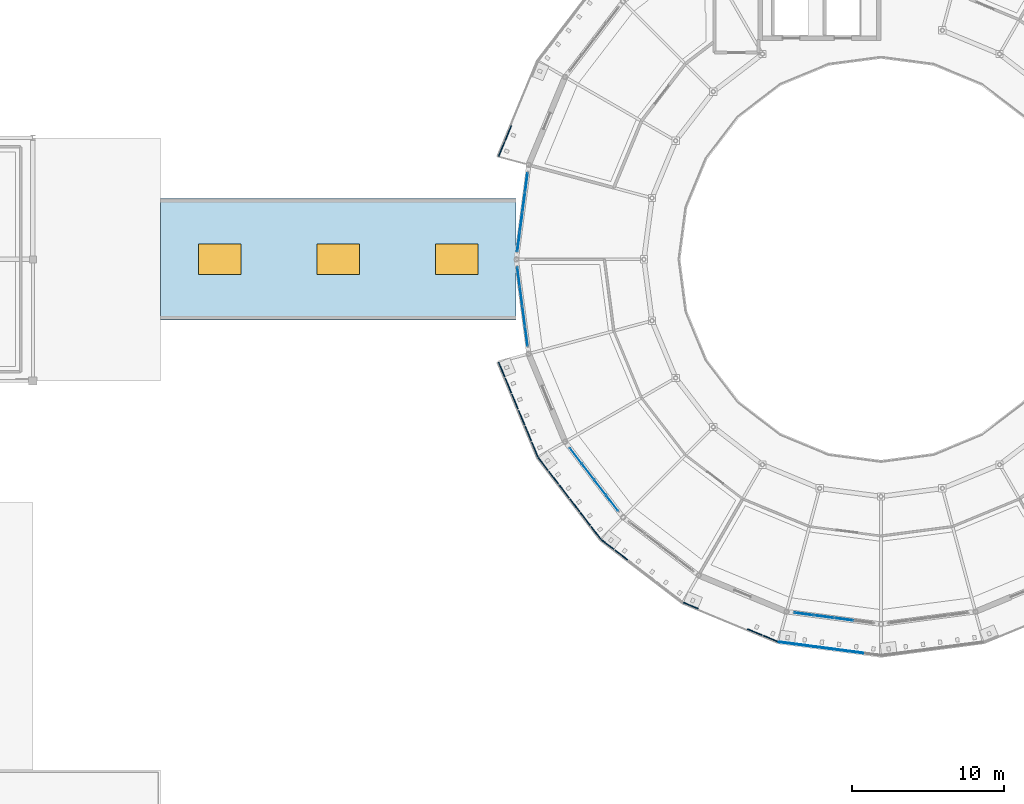
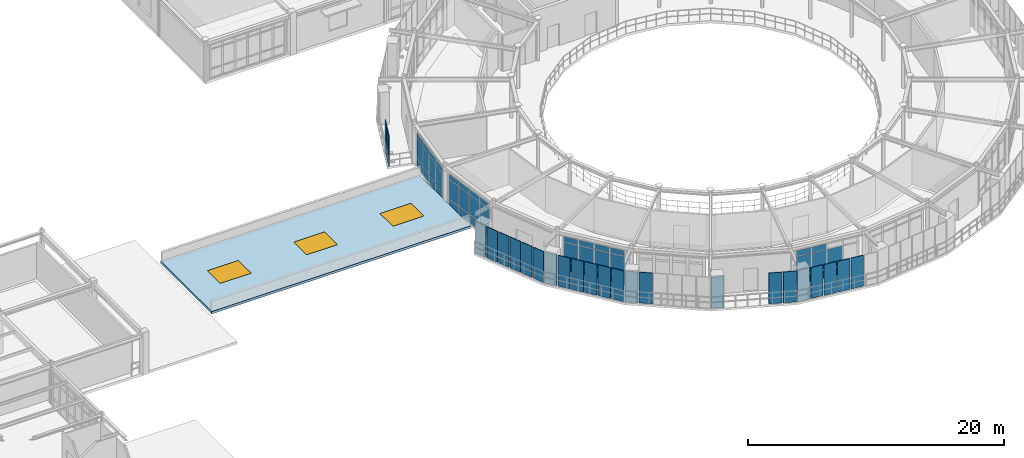
# One storey, part 42 of 70: 68 plates, 3 windows, 1 slab, 3 openings, 4 elements without a shape of their own.
"""IFC4 building model written with IfcOpenShell, lengths in metres."""

from ifc_helpers import new_model, si_unit, derived_unit, direction, frame, origin, origin_2d, place, context, subcontext, project, spatial, polyline, rectangle, outline, extrude, material, layer, layer_set, type_object, element, fill, aggregate, save


model = new_model("IFC4")

# Units and contexts
model_context = context("Model", 3, precision=1e-05, world=origin(), true_north=direction((0.0, 1.0)))
body_context = subcontext(model_context, "Body", "Model", "MODEL_VIEW")
ifc_project = project(units=[si_unit("LENGTHUNIT", "METRE"), si_unit("AREAUNIT", "SQUARE_METRE"), si_unit("VOLUMEUNIT", "CUBIC_METRE"), si_unit("PLANEANGLEUNIT", "RADIAN"), si_unit("MASSUNIT", "GRAM", prefix="KILO"), derived_unit("THERMALTRANSMITTANCEUNIT", [(si_unit("POWERUNIT", "WATT"), 1), (si_unit("AREAUNIT", "SQUARE_METRE"), -1), (si_unit("THERMODYNAMICTEMPERATUREUNIT", "KELVIN"), -1)])], contexts=[model_context])

# Site, building, storey
site_placement = place(None, origin())
site = spatial("IfcSite", under=ifc_project, at=site_placement, CompositionType="ELEMENT")
building_placement = place(site_placement, origin())
building = spatial("IfcBuilding", under=site, at=building_placement, Name="Yasenodar Specialist Clinic", CompositionType="ELEMENT")
storey_placement = place(building_placement, frame((0.0, 0.0, 13.199951171875)))
storey = spatial("IfcBuildingStorey", under=building, at=storey_placement, Name="L03", CompositionType="ELEMENT", Elevation=13.199951171875)

# Curtain wall, plates
ifc_material_1 = material(Name="Bronze Anodized Aluminium and Triple Low-E Glass", Category="aluminium")
ifc_layer_1 = layer(ifc_material_1, 0.1669921875)
ifc_layer_set_1 = layer_set([ifc_layer_1], Name="Bronze Anodized Aluminium and Triple Low-E Glass")
curtain_wall_type = type_object("IfcCurtainWallType", Name="CW-SYS-01", PredefinedType="USERDEFINED", material=ifc_layer_set_1)
curtain_wall_1_placement = place(storey_placement, origin())
curtain_wall_1 = element("IfcCurtainWall", 1, at=curtain_wall_1_placement, inside=storey, type_object=curtain_wall_type, Name="L03 Unitised Curtain Wall 048", ObjectType="UNITISED CURTAIN WALL", PredefinedType="USERDEFINED")
ifc_material_2 = material(Name="Triple Low-E Argon Glazing", Category="glass")
ifc_layer_2 = layer(ifc_material_2, 0.028076171875)
ifc_layer_set_2 = layer_set([ifc_layer_2], Name="Triple Low-E Argon Glazing")
plate_type_1 = type_object("IfcPlateType", Name="CW-PAN-1", PredefinedType="CURTAIN_PANEL", material=ifc_layer_set_2)
plate_1_placement = place(storey_placement, frame((57.66650390625, 53.736572265625, 0.06005859375), z_axis=(0.0, 0.0, 1.0), x_axis=(-0.13051156024, 0.991446787601, 0.0)))
plate_1 = element("IfcPlate", 2, at=plate_1_placement, type_object=plate_type_1, Name="CW-01 panel 1.1", PredefinedType="CURTAIN_PANEL", context=body_context, shape_type="SweptSolid", body=[
    extrude(rectangle(XDim=1.236328125, YDim=0.028076171875, at=origin_2d()), origin(), (0.0, 0.0, 1.0), 0.81005859375),
])
plate_2_placement = place(storey_placement, frame((57.66650390625, 53.736572265625, 0.93017578125), z_axis=(0.0, 0.0, 1.0), x_axis=(-0.13051156024, 0.991446787601, 0.0)))
plate_2 = element("IfcPlate", 3, at=plate_2_placement, type_object=plate_type_1, Name="CW-01 panel 1.2", PredefinedType="CURTAIN_PANEL", context=body_context, shape_type="SweptSolid", body=[
    extrude(rectangle(XDim=1.236328125, YDim=0.028076171875, at=origin_2d()), origin(), (0.0, 0.0, 1.0), 1.827880859375),
])
plate_3_placement = place(storey_placement, frame((57.66650390625, 53.736572265625, 2.81787109375), z_axis=(0.0, 0.0, 1.0), x_axis=(-0.13051156024, 0.991446787601, 0.0)))
plate_3 = element("IfcPlate", 4, at=plate_3_placement, type_object=plate_type_1, Name="CW-01 panel 1.3", PredefinedType="CURTAIN_PANEL", context=body_context, shape_type="SweptSolid", body=[
    extrude(rectangle(XDim=1.236328125, YDim=0.028076171875, at=origin_2d()), origin(), (0.0, 0.0, 1.0), 0.510009765625),
])
plate_4_placement = place(storey_placement, frame((57.495361328125, 55.03662109375, 0.06005859375), z_axis=(0.0, 0.0, 1.0), x_axis=(-0.13051156024, 0.991446787601, 0.0)))
plate_4 = element("IfcPlate", 5, at=plate_4_placement, type_object=plate_type_1, Name="CW-01 panel 2.1", PredefinedType="CURTAIN_PANEL", context=body_context, shape_type="SweptSolid", body=[
    extrude(rectangle(XDim=1.266357421875, YDim=0.028076171875, at=origin_2d()), origin(), (0.0, 0.0, 1.0), 0.81005859375),
])
plate_5_placement = place(storey_placement, frame((57.495361328125, 55.03662109375, 0.93017578125), z_axis=(0.0, 0.0, 1.0), x_axis=(-0.13051156024, 0.991446787601, 0.0)))
plate_5 = element("IfcPlate", 6, at=plate_5_placement, type_object=plate_type_1, Name="CW-01 panel 2.2", PredefinedType="CURTAIN_PANEL", context=body_context, shape_type="SweptSolid", body=[
    extrude(rectangle(XDim=1.266357421875, YDim=0.028076171875, at=origin_2d()), origin(), (0.0, 0.0, 1.0), 1.827880859375),
])
plate_6_placement = place(storey_placement, frame((57.495361328125, 55.03662109375, 2.81787109375), z_axis=(0.0, 0.0, 1.0), x_axis=(-0.13051156024, 0.991446787601, 0.0)))
plate_6 = element("IfcPlate", 7, at=plate_6_placement, type_object=plate_type_1, Name="CW-01 panel 2.3", PredefinedType="CURTAIN_PANEL", context=body_context, shape_type="SweptSolid", body=[
    extrude(rectangle(XDim=1.266357421875, YDim=0.028076171875, at=origin_2d()), origin(), (0.0, 0.0, 1.0), 0.510009765625),
])
plate_7_placement = place(storey_placement, frame((57.322265625, 56.3515625, 0.06005859375), z_axis=(0.0, 0.0, 1.0), x_axis=(-0.13051156024, 0.991446787601, 0.0)))
plate_7 = element("IfcPlate", 8, at=plate_7_placement, type_object=plate_type_1, Name="CW-01 panel 3.1", PredefinedType="CURTAIN_PANEL", context=body_context, shape_type="SweptSolid", body=[
    extrude(rectangle(XDim=1.266357421875, YDim=0.028076171875, at=origin_2d()), origin(), (0.0, 0.0, 1.0), 0.81005859375),
])
plate_8_placement = place(storey_placement, frame((57.322265625, 56.3515625, 0.93017578125), z_axis=(0.0, 0.0, 1.0), x_axis=(-0.13051156024, 0.991446787601, 0.0)))
plate_8 = element("IfcPlate", 9, at=plate_8_placement, type_object=plate_type_1, Name="CW-01 panel 3.2", PredefinedType="CURTAIN_PANEL", context=body_context, shape_type="SweptSolid", body=[
    extrude(rectangle(XDim=1.266357421875, YDim=0.028076171875, at=origin_2d()), origin(), (0.0, 0.0, 1.0), 1.827880859375),
])
plate_9_placement = place(storey_placement, frame((57.322265625, 56.3515625, 2.81787109375), z_axis=(0.0, 0.0, 1.0), x_axis=(-0.13051156024, 0.991446787601, 0.0)))
plate_9 = element("IfcPlate", 10, at=plate_9_placement, type_object=plate_type_1, Name="CW-01 panel 3.3", PredefinedType="CURTAIN_PANEL", context=body_context, shape_type="SweptSolid", body=[
    extrude(rectangle(XDim=1.266357421875, YDim=0.028076171875, at=origin_2d()), origin(), (0.0, 0.0, 1.0), 0.510009765625),
])
plate_10_placement = place(storey_placement, frame((57.151123046875, 57.65185546875, 0.06005859375), z_axis=(0.0, 0.0, 1.0), x_axis=(-0.13051156024, 0.991446787601, 0.0)))
plate_10 = element("IfcPlate", 11, at=plate_10_placement, type_object=plate_type_1, Name="CW-01 panel 4.1", PredefinedType="CURTAIN_PANEL", context=body_context, shape_type="SweptSolid", body=[
    extrude(rectangle(XDim=1.236328125, YDim=0.028076171875, at=origin_2d()), origin(), (0.0, 0.0, 1.0), 0.81005859375),
])
plate_11_placement = place(storey_placement, frame((57.151123046875, 57.65185546875, 0.93017578125), z_axis=(0.0, 0.0, 1.0), x_axis=(-0.13051156024, 0.991446787601, 0.0)))
plate_11 = element("IfcPlate", 12, at=plate_11_placement, type_object=plate_type_1, Name="CW-01 panel 4.2", PredefinedType="CURTAIN_PANEL", context=body_context, shape_type="SweptSolid", body=[
    extrude(rectangle(XDim=1.236328125, YDim=0.028076171875, at=origin_2d()), origin(), (0.0, 0.0, 1.0), 1.827880859375),
])
plate_12_placement = place(storey_placement, frame((57.151123046875, 57.65185546875, 2.81787109375), z_axis=(0.0, 0.0, 1.0), x_axis=(-0.13051156024, 0.991446787601, 0.0)))
plate_12 = element("IfcPlate", 13, at=plate_12_placement, type_object=plate_type_1, Name="CW-01 panel 4.3", PredefinedType="CURTAIN_PANEL", context=body_context, shape_type="SweptSolid", body=[
    extrude(rectangle(XDim=1.236328125, YDim=0.028076171875, at=origin_2d()), origin(), (0.0, 0.0, 1.0), 0.510009765625),
])
aggregate(curtain_wall_1, [plate_1, plate_2, plate_3, plate_4, plate_5, plate_6, plate_7, plate_8, plate_9, plate_10, plate_11, plate_12])

curtain_wall_2_placement = place(storey_placement, origin())
curtain_wall_2 = element("IfcCurtainWall", 14, at=curtain_wall_2_placement, inside=storey, type_object=curtain_wall_type, Name="L03 Unitised Curtain Wall 049", ObjectType="UNITISED CURTAIN WALL", PredefinedType="USERDEFINED")
ifc_layer_3 = layer(ifc_material_2, 0.033935546875)
ifc_layer_set_3 = layer_set([ifc_layer_3], Name="Triple Low-E Argon Glazing")
plate_type_2 = type_object("IfcPlateType", Name="CW-PAN-2", PredefinedType="CURTAIN_PANEL", material=ifc_layer_set_3)
plate_13_placement = place(storey_placement, frame((63.324462890625, 42.748291015625, 0.06005859375), z_axis=(0.0, 0.0, 1.0), x_axis=(-0.608752021844, 0.793360558574, 0.0)))
plate_13 = element("IfcPlate", 15, at=plate_13_placement, type_object=plate_type_2, Name="CW-01 panel 1.1", PredefinedType="CURTAIN_PANEL", context=body_context, shape_type="SweptSolid", body=[
    extrude(rectangle(XDim=1.236328125, YDim=0.033935546875, at=origin_2d()), origin(), (0.0, 0.0, 1.0), 0.81005859375),
])
plate_14_placement = place(storey_placement, frame((63.324462890625, 42.748291015625, 0.93017578125), z_axis=(0.0, 0.0, 1.0), x_axis=(-0.608752021844, 0.793360558574, 0.0)))
plate_14 = element("IfcPlate", 16, at=plate_14_placement, type_object=plate_type_2, Name="CW-01 panel 1.2", PredefinedType="CURTAIN_PANEL", context=body_context, shape_type="SweptSolid", body=[
    extrude(rectangle(XDim=1.236328125, YDim=0.033935546875, at=origin_2d()), origin(), (0.0, 0.0, 1.0), 1.827880859375),
])
plate_15_placement = place(storey_placement, frame((63.324462890625, 42.748291015625, 2.81787109375), z_axis=(0.0, 0.0, 1.0), x_axis=(-0.608752021844, 0.793360558574, 0.0)))
plate_15 = element("IfcPlate", 17, at=plate_15_placement, type_object=plate_type_2, Name="CW-01 panel 1.3", PredefinedType="CURTAIN_PANEL", context=body_context, shape_type="SweptSolid", body=[
    extrude(rectangle(XDim=1.236328125, YDim=0.033935546875, at=origin_2d()), origin(), (0.0, 0.0, 1.0), 0.510009765625),
])
plate_16_placement = place(storey_placement, frame((62.526123046875, 43.78857421875, 0.06005859375), z_axis=(0.0, 0.0, 1.0), x_axis=(-0.608752021844, 0.793360558574, 0.0)))
plate_16 = element("IfcPlate", 18, at=plate_16_placement, type_object=plate_type_2, Name="CW-01 panel 2.1", PredefinedType="CURTAIN_PANEL", context=body_context, shape_type="SweptSolid", body=[
    extrude(rectangle(XDim=1.266357421875, YDim=0.033935546875, at=origin_2d()), origin(), (0.0, 0.0, 1.0), 0.81005859375),
])
plate_17_placement = place(storey_placement, frame((62.526123046875, 43.78857421875, 0.93017578125), z_axis=(0.0, 0.0, 1.0), x_axis=(-0.608752021844, 0.793360558574, 0.0)))
plate_17 = element("IfcPlate", 19, at=plate_17_placement, type_object=plate_type_2, Name="CW-01 panel 2.2", PredefinedType="CURTAIN_PANEL", context=body_context, shape_type="SweptSolid", body=[
    extrude(rectangle(XDim=1.266357421875, YDim=0.033935546875, at=origin_2d()), origin(), (0.0, 0.0, 1.0), 1.827880859375),
])
plate_18_placement = place(storey_placement, frame((62.526123046875, 43.78857421875, 2.81787109375), z_axis=(0.0, 0.0, 1.0), x_axis=(-0.608752021844, 0.793360558574, 0.0)))
plate_18 = element("IfcPlate", 20, at=plate_18_placement, type_object=plate_type_2, Name="CW-01 panel 2.3", PredefinedType="CURTAIN_PANEL", context=body_context, shape_type="SweptSolid", body=[
    extrude(rectangle(XDim=1.266357421875, YDim=0.033935546875, at=origin_2d()), origin(), (0.0, 0.0, 1.0), 0.510009765625),
])
plate_19_placement = place(storey_placement, frame((61.71875, 44.8408203125, 0.06005859375), z_axis=(0.0, 0.0, 1.0), x_axis=(-0.608752021844, 0.793360558574, 0.0)))
plate_19 = element("IfcPlate", 21, at=plate_19_placement, type_object=plate_type_2, Name="CW-01 panel 3.1", PredefinedType="CURTAIN_PANEL", context=body_context, shape_type="SweptSolid", body=[
    extrude(rectangle(XDim=1.266357421875, YDim=0.033935546875, at=origin_2d()), origin(), (0.0, 0.0, 1.0), 0.81005859375),
])
plate_20_placement = place(storey_placement, frame((61.71875, 44.8408203125, 0.93017578125), z_axis=(0.0, 0.0, 1.0), x_axis=(-0.608752021844, 0.793360558574, 0.0)))
plate_20 = element("IfcPlate", 22, at=plate_20_placement, type_object=plate_type_2, Name="CW-01 panel 3.2", PredefinedType="CURTAIN_PANEL", context=body_context, shape_type="SweptSolid", body=[
    extrude(rectangle(XDim=1.266357421875, YDim=0.033935546875, at=origin_2d()), origin(), (0.0, 0.0, 1.0), 1.827880859375),
])
plate_21_placement = place(storey_placement, frame((61.71875, 44.8408203125, 2.81787109375), z_axis=(0.0, 0.0, 1.0), x_axis=(-0.608752021844, 0.793360558574, 0.0)))
plate_21 = element("IfcPlate", 23, at=plate_21_placement, type_object=plate_type_2, Name="CW-01 panel 3.3", PredefinedType="CURTAIN_PANEL", context=body_context, shape_type="SweptSolid", body=[
    extrude(rectangle(XDim=1.266357421875, YDim=0.033935546875, at=origin_2d()), origin(), (0.0, 0.0, 1.0), 0.510009765625),
])
plate_22_placement = place(storey_placement, frame((60.92041015625, 45.881103515625, 0.06005859375), z_axis=(0.0, 0.0, 1.0), x_axis=(-0.608752021844, 0.793360558574, 0.0)))
plate_22 = element("IfcPlate", 24, at=plate_22_placement, type_object=plate_type_2, Name="CW-01 panel 4.1", PredefinedType="CURTAIN_PANEL", context=body_context, shape_type="SweptSolid", body=[
    extrude(rectangle(XDim=1.236328125, YDim=0.033935546875, at=origin_2d()), origin(), (0.0, 0.0, 1.0), 0.81005859375),
])
plate_23_placement = place(storey_placement, frame((60.92041015625, 45.881103515625, 0.93017578125), z_axis=(0.0, 0.0, 1.0), x_axis=(-0.608752021844, 0.793360558574, 0.0)))
plate_23 = element("IfcPlate", 25, at=plate_23_placement, type_object=plate_type_2, Name="CW-01 panel 4.2", PredefinedType="CURTAIN_PANEL", context=body_context, shape_type="SweptSolid", body=[
    extrude(rectangle(XDim=1.236328125, YDim=0.033935546875, at=origin_2d()), origin(), (0.0, 0.0, 1.0), 1.827880859375),
])
plate_24_placement = place(storey_placement, frame((60.92041015625, 45.881103515625, 2.81787109375), z_axis=(0.0, 0.0, 1.0), x_axis=(-0.608752021844, 0.793360558574, 0.0)))
plate_24 = element("IfcPlate", 26, at=plate_24_placement, type_object=plate_type_2, Name="CW-01 panel 4.3", PredefinedType="CURTAIN_PANEL", context=body_context, shape_type="SweptSolid", body=[
    extrude(rectangle(XDim=1.236328125, YDim=0.033935546875, at=origin_2d()), origin(), (0.0, 0.0, 1.0), 0.510009765625),
])
aggregate(curtain_wall_2, [plate_13, plate_14, plate_15, plate_16, plate_17, plate_18, plate_19, plate_20, plate_21, plate_22, plate_23, plate_24])

curtain_wall_3_placement = place(storey_placement, origin())
curtain_wall_3 = element("IfcCurtainWall", 27, at=curtain_wall_3_placement, inside=storey, type_object=curtain_wall_type, Name="L03 Unitised Curtain Wall 047", ObjectType="UNITISED CURTAIN WALL", PredefinedType="USERDEFINED")
ifc_layer_4 = layer(ifc_material_2, 0.0458984375)
ifc_layer_set_4 = layer_set([ifc_layer_4], Name="Triple Low-E Argon Glazing")
plate_type_3 = type_object("IfcPlateType", Name="CW-PAN-4", PredefinedType="CURTAIN_PANEL", material=ifc_layer_set_4)
plate_25_placement = place(storey_placement, frame((57.151123046875, 59.9482421875, 0.06005859375), z_axis=(0.0, 0.0, 1.0), x_axis=(0.13051156024, 0.991446787601, 0.0)))
plate_25 = element("IfcPlate", 28, at=plate_25_placement, type_object=plate_type_3, Name="CW-01 panel 1.1", PredefinedType="CURTAIN_PANEL", context=body_context, shape_type="SweptSolid", body=[
    extrude(rectangle(XDim=1.236328125, YDim=0.0458984375, at=origin_2d()), origin(), (0.0, 0.0, 1.0), 0.81005859375),
])
plate_26_placement = place(storey_placement, frame((57.151123046875, 59.9482421875, 0.93017578125), z_axis=(0.0, 0.0, 1.0), x_axis=(0.13051156024, 0.991446787601, 0.0)))
plate_26 = element("IfcPlate", 29, at=plate_26_placement, type_object=plate_type_3, Name="CW-01 panel 1.2", PredefinedType="CURTAIN_PANEL", context=body_context, shape_type="SweptSolid", body=[
    extrude(rectangle(XDim=1.236328125, YDim=0.0458984375, at=origin_2d()), origin(), (0.0, 0.0, 1.0), 1.827880859375),
])
plate_27_placement = place(storey_placement, frame((57.151123046875, 59.9482421875, 2.81787109375), z_axis=(0.0, 0.0, 1.0), x_axis=(0.13051156024, 0.991446787601, 0.0)))
plate_27 = element("IfcPlate", 30, at=plate_27_placement, type_object=plate_type_3, Name="CW-01 panel 1.3", PredefinedType="CURTAIN_PANEL", context=body_context, shape_type="SweptSolid", body=[
    extrude(rectangle(XDim=1.236328125, YDim=0.0458984375, at=origin_2d()), origin(), (0.0, 0.0, 1.0), 0.510009765625),
])
plate_28_placement = place(storey_placement, frame((57.322265625, 61.248291015625, 0.06005859375), z_axis=(0.0, 0.0, 1.0), x_axis=(0.13051156024, 0.991446787601, 0.0)))
plate_28 = element("IfcPlate", 31, at=plate_28_placement, type_object=plate_type_3, Name="CW-01 panel 2.1", PredefinedType="CURTAIN_PANEL", context=body_context, shape_type="SweptSolid", body=[
    extrude(rectangle(XDim=1.266357421875, YDim=0.0458984375, at=origin_2d()), origin(), (0.0, 0.0, 1.0), 0.81005859375),
])
plate_29_placement = place(storey_placement, frame((57.322265625, 61.248291015625, 0.93017578125), z_axis=(0.0, 0.0, 1.0), x_axis=(0.13051156024, 0.991446787601, 0.0)))
plate_29 = element("IfcPlate", 32, at=plate_29_placement, type_object=plate_type_3, Name="CW-01 panel 2.2", PredefinedType="CURTAIN_PANEL", context=body_context, shape_type="SweptSolid", body=[
    extrude(rectangle(XDim=1.266357421875, YDim=0.0458984375, at=origin_2d()), origin(), (0.0, 0.0, 1.0), 1.827880859375),
])
plate_30_placement = place(storey_placement, frame((57.322265625, 61.248291015625, 2.81787109375), z_axis=(0.0, 0.0, 1.0), x_axis=(0.13051156024, 0.991446787601, 0.0)))
plate_30 = element("IfcPlate", 33, at=plate_30_placement, type_object=plate_type_3, Name="CW-01 panel 2.3", PredefinedType="CURTAIN_PANEL", context=body_context, shape_type="SweptSolid", body=[
    extrude(rectangle(XDim=1.266357421875, YDim=0.0458984375, at=origin_2d()), origin(), (0.0, 0.0, 1.0), 0.510009765625),
])
plate_31_placement = place(storey_placement, frame((57.495361328125, 62.563232421875, 0.06005859375), z_axis=(0.0, 0.0, 1.0), x_axis=(0.13051156024, 0.991446787601, 0.0)))
plate_31 = element("IfcPlate", 34, at=plate_31_placement, type_object=plate_type_3, Name="CW-01 panel 3.1", PredefinedType="CURTAIN_PANEL", context=body_context, shape_type="SweptSolid", body=[
    extrude(rectangle(XDim=1.266357421875, YDim=0.0458984375, at=origin_2d()), origin(), (0.0, 0.0, 1.0), 0.81005859375),
])
plate_32_placement = place(storey_placement, frame((57.495361328125, 62.563232421875, 0.93017578125), z_axis=(0.0, 0.0, 1.0), x_axis=(0.13051156024, 0.991446787601, 0.0)))
plate_32 = element("IfcPlate", 35, at=plate_32_placement, type_object=plate_type_3, Name="CW-01 panel 3.2", PredefinedType="CURTAIN_PANEL", context=body_context, shape_type="SweptSolid", body=[
    extrude(rectangle(XDim=1.266357421875, YDim=0.0458984375, at=origin_2d()), origin(), (0.0, 0.0, 1.0), 1.827880859375),
])
plate_33_placement = place(storey_placement, frame((57.495361328125, 62.563232421875, 2.81787109375), z_axis=(0.0, 0.0, 1.0), x_axis=(0.13051156024, 0.991446787601, 0.0)))
plate_33 = element("IfcPlate", 36, at=plate_33_placement, type_object=plate_type_3, Name="CW-01 panel 3.3", PredefinedType="CURTAIN_PANEL", context=body_context, shape_type="SweptSolid", body=[
    extrude(rectangle(XDim=1.266357421875, YDim=0.0458984375, at=origin_2d()), origin(), (0.0, 0.0, 1.0), 0.510009765625),
])
plate_34_placement = place(storey_placement, frame((57.66650390625, 63.863525390625, 0.06005859375), z_axis=(0.0, 0.0, 1.0), x_axis=(0.13051156024, 0.991446787601, 0.0)))
plate_34 = element("IfcPlate", 37, at=plate_34_placement, type_object=plate_type_3, Name="CW-01 panel 4.1", PredefinedType="CURTAIN_PANEL", context=body_context, shape_type="SweptSolid", body=[
    extrude(rectangle(XDim=1.236328125, YDim=0.0458984375, at=origin_2d()), origin(), (0.0, 0.0, 1.0), 0.81005859375),
])
plate_35_placement = place(storey_placement, frame((57.66650390625, 63.863525390625, 0.93017578125), z_axis=(0.0, 0.0, 1.0), x_axis=(0.13051156024, 0.991446787601, 0.0)))
plate_35 = element("IfcPlate", 38, at=plate_35_placement, type_object=plate_type_3, Name="CW-01 panel 4.2", PredefinedType="CURTAIN_PANEL", context=body_context, shape_type="SweptSolid", body=[
    extrude(rectangle(XDim=1.236328125, YDim=0.0458984375, at=origin_2d()), origin(), (0.0, 0.0, 1.0), 1.827880859375),
])
plate_36_placement = place(storey_placement, frame((57.66650390625, 63.863525390625, 2.81787109375), z_axis=(0.0, 0.0, 1.0), x_axis=(0.13051156024, 0.991446787601, 0.0)))
plate_36 = element("IfcPlate", 39, at=plate_36_placement, type_object=plate_type_3, Name="CW-01 panel 4.3", PredefinedType="CURTAIN_PANEL", context=body_context, shape_type="SweptSolid", body=[
    extrude(rectangle(XDim=1.236328125, YDim=0.0458984375, at=origin_2d()), origin(), (0.0, 0.0, 1.0), 0.510009765625),
])
aggregate(curtain_wall_3, [plate_25, plate_26, plate_27, plate_28, plate_29, plate_30, plate_31, plate_32, plate_33, plate_34, plate_35, plate_36])

curtain_wall_4_placement = place(storey_placement, origin())
curtain_wall_4 = element("IfcCurtainWall", 40, at=curtain_wall_4_placement, inside=storey, type_object=curtain_wall_type, Name="L03 Unitised Curtain Wall 051", ObjectType="UNITISED CURTAIN WALL", PredefinedType="USERDEFINED")
plate_37_placement = place(storey_placement, frame((78.5517578125, 35.122314453125, 0.06005859375), z_axis=(0.0, 0.0, 1.0), x_axis=(-0.991446787601, 0.13051156024, 0.0)))
plate_37 = element("IfcPlate", 41, at=plate_37_placement, type_object=plate_type_3, Name="CW-01 panel 2.1", PredefinedType="CURTAIN_PANEL", context=body_context, shape_type="SweptSolid", body=[
    extrude(rectangle(XDim=1.266357421875, YDim=0.0458984375, at=origin_2d()), origin(), (0.0, 0.0, 1.0), 0.81005859375),
])
plate_38_placement = place(storey_placement, frame((78.5517578125, 35.122314453125, 0.93017578125), z_axis=(0.0, 0.0, 1.0), x_axis=(-0.991446787601, 0.13051156024, 0.0)))
plate_38 = element("IfcPlate", 42, at=plate_38_placement, type_object=plate_type_3, Name="CW-01 panel 2.2", PredefinedType="CURTAIN_PANEL", context=body_context, shape_type="SweptSolid", body=[
    extrude(rectangle(XDim=1.266357421875, YDim=0.0458984375, at=origin_2d()), origin(), (0.0, 0.0, 1.0), 1.827880859375),
])
plate_39_placement = place(storey_placement, frame((77.236572265625, 35.29541015625, 0.06005859375), z_axis=(0.0, 0.0, 1.0), x_axis=(-0.991446787601, 0.13051156024, 0.0)))
plate_39 = element("IfcPlate", 43, at=plate_39_placement, type_object=plate_type_3, Name="CW-01 panel 3.1", PredefinedType="CURTAIN_PANEL", context=body_context, shape_type="SweptSolid", body=[
    extrude(rectangle(XDim=1.266357421875, YDim=0.0458984375, at=origin_2d()), origin(), (0.0, 0.0, 1.0), 0.81005859375),
])
plate_40_placement = place(storey_placement, frame((77.236572265625, 35.29541015625, 0.93017578125), z_axis=(0.0, 0.0, 1.0), x_axis=(-0.991446787601, 0.13051156024, 0.0)))
plate_40 = element("IfcPlate", 44, at=plate_40_placement, type_object=plate_type_3, Name="CW-01 panel 3.2", PredefinedType="CURTAIN_PANEL", context=body_context, shape_type="SweptSolid", body=[
    extrude(rectangle(XDim=1.266357421875, YDim=0.0458984375, at=origin_2d()), origin(), (0.0, 0.0, 1.0), 1.827880859375),
])
plate_41_placement = place(storey_placement, frame((77.236572265625, 35.29541015625, 2.81787109375), z_axis=(0.0, 0.0, 1.0), x_axis=(-0.991446787601, 0.13051156024, 0.0)))
plate_41 = element("IfcPlate", 45, at=plate_41_placement, type_object=plate_type_3, Name="CW-01 panel 3.3", PredefinedType="CURTAIN_PANEL", context=body_context, shape_type="SweptSolid", body=[
    extrude(rectangle(XDim=1.266357421875, YDim=0.0458984375, at=origin_2d()), origin(), (0.0, 0.0, 1.0), 0.510009765625),
])
plate_42_placement = place(storey_placement, frame((75.9365234375, 35.466552734375, 0.06005859375), z_axis=(0.0, 0.0, 1.0), x_axis=(-0.991446787601, 0.13051156024, 0.0)))
plate_42 = element("IfcPlate", 46, at=plate_42_placement, type_object=plate_type_3, Name="CW-01 panel 4.1", PredefinedType="CURTAIN_PANEL", context=body_context, shape_type="SweptSolid", body=[
    extrude(rectangle(XDim=1.236328125, YDim=0.0458984375, at=origin_2d()), origin(), (0.0, 0.0, 1.0), 0.81005859375),
])
plate_43_placement = place(storey_placement, frame((75.9365234375, 35.466552734375, 0.93017578125), z_axis=(0.0, 0.0, 1.0), x_axis=(-0.991446787601, 0.13051156024, 0.0)))
plate_43 = element("IfcPlate", 47, at=plate_43_placement, type_object=plate_type_3, Name="CW-01 panel 4.2", PredefinedType="CURTAIN_PANEL", context=body_context, shape_type="SweptSolid", body=[
    extrude(rectangle(XDim=1.236328125, YDim=0.0458984375, at=origin_2d()), origin(), (0.0, 0.0, 1.0), 1.827880859375),
])
plate_44_placement = place(storey_placement, frame((75.9365234375, 35.466552734375, 2.81787109375), z_axis=(0.0, 0.0, 1.0), x_axis=(-0.991446787601, 0.13051156024, 0.0)))
plate_44 = element("IfcPlate", 48, at=plate_44_placement, type_object=plate_type_3, Name="CW-01 panel 4.3", PredefinedType="CURTAIN_PANEL", context=body_context, shape_type="SweptSolid", body=[
    extrude(rectangle(XDim=1.236328125, YDim=0.0458984375, at=origin_2d()), origin(), (0.0, 0.0, 1.0), 0.510009765625),
])
aggregate(curtain_wall_4, [plate_37, plate_38, plate_39, plate_40, plate_41, plate_42, plate_43, plate_44])

# Plates
ifc_material_3 = material(Name="Thermally Modified Larch and Bronze Girih Jali Screen")
ifc_layer_5 = layer(ifc_material_3, 0.06494140625)
ifc_layer_set_5 = layer_set([ifc_layer_5], Name="Thermally Modified Larch and Bronze Girih Jali Screen")
plate_type_4 = type_object("IfcPlateType", Name="PL-JALI-850", PredefinedType="USERDEFINED", material=ifc_layer_set_5)
for number, where, z_axis, x_axis, name in (
    (49, (56.476318359375, 67.107177734375, 0.0048828125), (0.0, 0.0, 1.0), (-0.382686667195, -0.923878192594, 0.0), "L03 Sliding Timber-Bronze Jali Shutter Screen 0269"),
    (50, (56.040283203125, 66.05419921875, 0.0048828125), (0.0, 0.0, 1.0), (-0.382686667195, -0.923878192594, 0.0), "L03 Sliding Timber-Bronze Jali Shutter Screen 0270"),
    (51, (56.040283203125, 51.5458984375, 0.0048828125), (0.0, 0.0, 1.0), (0.382686667195, -0.923878192594, 0.0), "L03 Sliding Timber-Bronze Jali Shutter Screen 0271"),
    (52, (56.476318359375, 50.492919921875, 0.0048828125), (0.0, 0.0, 1.0), (0.382686667195, -0.923878192594, 0.0), "L03 Sliding Timber-Bronze Jali Shutter Screen 0272"),
    (53, (56.91259765625, 49.439697265625, 0.0048828125), (0.0, 0.0, 1.0), (0.382686667195, -0.923878192594, 0.0), "L03 Sliding Timber-Bronze Jali Shutter Screen 0273"),
    (54, (57.348876953125, 48.386474609375, 0.0048828125), (0.0, 0.0, 1.0), (0.382686667195, -0.923878192594, 0.0), "L03 Sliding Timber-Bronze Jali Shutter Screen 0274"),
    (55, (57.78515625, 47.333251953125, 0.0048828125), (0.0, 0.0, 1.0), (0.382686667195, -0.923878192594, 0.0), "L03 Sliding Timber-Bronze Jali Shutter Screen 0275"),
    (56, (58.22119140625, 46.2802734375, 0.0048828125), (0.0, 0.0, 1.0), (0.382686667195, -0.923878192594, 0.0), "L03 Sliding Timber-Bronze Jali Shutter Screen 0276"),
    (57, (58.76806640625, 45.3330078125, 0.0048828125), (0.0, 0.0, 1.0), (0.608764217148, -0.793351200869, 0.0), "L03 Sliding Timber-Bronze Jali Shutter Screen 0277"),
    (58, (59.462158203125, 44.4287109375, 0.0048828125), (0.0, 0.0, 1.0), (0.608764217148, -0.793351200869, 0.0), "L03 Sliding Timber-Bronze Jali Shutter Screen 0278"),
    (59, (60.156005859375, 43.5244140625, 0.0048828125), (0.0, 0.0, 1.0), (0.608764217148, -0.793351200869, 0.0), "L03 Sliding Timber-Bronze Jali Shutter Screen 0279"),
    (60, (60.85009765625, 42.619873046875, 0.0048828125), (0.0, 0.0, 1.0), (0.608764217148, -0.793351200869, 0.0), "L03 Sliding Timber-Bronze Jali Shutter Screen 0280"),
    (61, (61.5439453125, 41.715576171875, 0.0048828125), (0.0, 0.0, 1.0), (0.608764217148, -0.793351200869, 0.0), "L03 Sliding Timber-Bronze Jali Shutter Screen 0281"),
    (62, (62.23779296875, 40.811279296875, 0.0048828125), (0.0, 0.0, 1.0), (0.608764217148, -0.793351200869, 0.0), "L03 Sliding Timber-Bronze Jali Shutter Screen 0282"),
    (63, (63.01123046875, 40.037841796875, 0.0048828125), (0.0, 0.0, 1.0), (0.793351200869, -0.608764217148, 0.0), "L03 Sliding Timber-Bronze Jali Shutter Screen 0283"),
    (64, (63.91552734375, 39.343994140625, 0.0048828125), (0.0, 0.0, 1.0), (0.793351200869, -0.608764217148, 0.0), "L03 Sliding Timber-Bronze Jali Shutter Screen 0284"),
    (65, (68.480224609375, 36.021240234375, 0.0048828125), (0.0, 0.0, 1.0), (0.923878192594, -0.382686667195, 0.0), "L03 Sliding Timber-Bronze Jali Shutter Screen 0289"),
    (66, (72.69287109375, 34.2763671875, 0.0048828125), (0.0, 0.0, 1.0), (0.923878192594, -0.382686667195, 0.0), "L03 Sliding Timber-Bronze Jali Shutter Screen 0290"),
    (67, (73.745849609375, 33.840087890625, 0.0048828125), (0.0, 0.0, 1.0), (0.923878192594, -0.382686667195, 0.0), "L03 Sliding Timber-Bronze Jali Shutter Screen 0291"),
    (68, (74.80224609375, 33.55712890625, 0.0048828125), (0.0, 0.0, 1.0), (0.991445783754, -0.130519185854, 0.0), "L03 Sliding Timber-Bronze Jali Shutter Screen 0292"),
    (69, (75.932373046875, 33.408203125, 0.0048828125), (0.0, 0.0, 1.0), (0.991445783754, -0.130519185854, 0.0), "L03 Sliding Timber-Bronze Jali Shutter Screen 0293"),
    (70, (77.0625, 33.259521484375, 0.0048828125), (0.0, 0.0, 1.0), (0.991445783754, -0.130519185854, 0.0), "L03 Sliding Timber-Bronze Jali Shutter Screen 0294"),
    (71, (78.19287109375, 33.11083984375, 0.0048828125), (0.0, 0.0, 1.0), (0.991445783754, -0.130519185854, 0.0), "L03 Sliding Timber-Bronze Jali Shutter Screen 0295"),
    (72, (79.322998046875, 32.9619140625, 0.0048828125), (0.0, 0.0, 1.0), (0.991445783754, -0.130519185854, 0.0), "L03 Sliding Timber-Bronze Jali Shutter Screen 0296"),
):
    element("IfcPlate", number, at=place(storey_placement, frame(where, z_axis=z_axis, x_axis=x_axis)), inside=storey, type_object=plate_type_4, Name=name, ObjectType="SCREEN_PANEL", PredefinedType="USERDEFINED", context=body_context, shape_type="SweptSolid", body=[
        extrude(rectangle(XDim=1.0400390625, YDim=0.06494140625, at=origin_2d()), origin(), (0.0, 0.0, 1.0), 2.949951171875),
    ])

# Slab, openings, windows
ifc_material_4 = material(Name="Concrete C30/37", Category="concrete")
ifc_layer_6 = layer(ifc_material_4, 0.22509765625)
ifc_layer_set_6 = layer_set([ifc_layer_6], Name="Concrete C30/37")
slab_type = type_object("IfcSlabType", Name="SLB-ROOF-225", PredefinedType="ROOF", material=ifc_layer_set_6)
slab_placement = place(storey_placement, frame((0.0, 0.0, 0.22509765625)))
slab = element("IfcSlab", 73, at=slab_placement, inside=storey, type_object=slab_type, Name="V6 Light Bridge Roof Slab", PredefinedType="ROOF", context=body_context, shape_type="SweptSolid", body=[
    extrude(outline(polyline([(33.60009765625, 54.800048828125), (57.0, 54.800048828125), (57.0, 62.800048828125), (33.60009765625, 62.800048828125), (33.60009765625, 54.800048828125)]), holes=[polyline([(36.10009765625, 57.800048828125), (38.89990234375, 57.800048828125), (38.89990234375, 59.800048828125), (36.10009765625, 59.800048828125), (36.10009765625, 57.800048828125)]), polyline([(43.89990234375, 57.800048828125), (46.699951171875, 57.800048828125), (46.699951171875, 59.800048828125), (43.89990234375, 59.800048828125), (43.89990234375, 57.800048828125)]), polyline([(51.699951171875, 57.800048828125), (54.5, 57.800048828125), (54.5, 59.800048828125), (51.699951171875, 59.800048828125), (51.699951171875, 57.800048828125)])]), origin(), (0.0, 0.0, 1.0), 0.224853515625),
])
opening_1_placement = place(slab_placement, frame((37.5, 58.800048828125, -0.010009765625)))
opening_1 = element("IfcOpeningElement", 74, at=opening_1_placement, cuts=slab, Name="Opening SK-06", PredefinedType="OPENING", context=body_context, shape_type="SweptSolid", body=[
    extrude(rectangle(XDim=2.800048828125, YDim=2.0, at=origin_2d()), origin(), (0.0, 0.0, 1.0), 0.244873046875),
])
opening_2_placement = place(slab_placement, frame((45.300048828125, 58.800048828125, -0.010009765625)))
opening_2 = element("IfcOpeningElement", 75, at=opening_2_placement, cuts=slab, Name="Opening SK-06", PredefinedType="OPENING", context=body_context, shape_type="SweptSolid", body=[
    extrude(rectangle(XDim=2.800048828125, YDim=2.0, at=origin_2d()), origin(), (0.0, 0.0, 1.0), 0.244873046875),
])
opening_3_placement = place(slab_placement, frame((53.10009765625, 58.800048828125, -0.010009765625)))
opening_3 = element("IfcOpeningElement", 76, at=opening_3_placement, cuts=slab, Name="Opening SK-06", PredefinedType="OPENING", context=body_context, shape_type="SweptSolid", body=[
    extrude(rectangle(XDim=2.800048828125, YDim=2.0, at=origin_2d()), origin(), (0.0, 0.0, 1.0), 0.244873046875),
])
ifc_material_5 = material(Name="Triple Laminated Low-E Skylight Glazing", Category="glass")
window_type = type_object("IfcWindowType", Name="SKY-RF-06", PartitioningType="SINGLE_PANEL", PredefinedType="SKYLIGHT", material=ifc_material_5)
window_1_placement = place(slab_placement, frame((37.5, 58.800048828125, 0.1748046875)))
window_1 = element("IfcWindow", 77, at=window_1_placement, inside=storey, type_object=window_type, Name="L03 Triple-Glazed Roof Skylight 08", OverallHeight=2.0, OverallWidth=2.800048828125, PartitioningType="SINGLE_PANEL", PredefinedType="SKYLIGHT", context=body_context, shape_type="SweptSolid", body=[
    extrude(rectangle(XDim=2.800048828125, YDim=2.0, at=origin_2d()), origin(), (0.0, 0.0, 1.0), 0.050048828125),
])
fill(opening_1, window_1)
window_2_placement = place(slab_placement, frame((45.300048828125, 58.800048828125, 0.1748046875)))
window_2 = element("IfcWindow", 78, at=window_2_placement, inside=storey, type_object=window_type, Name="L03 Triple-Glazed Roof Skylight 09", OverallHeight=2.0, OverallWidth=2.800048828125, PartitioningType="SINGLE_PANEL", PredefinedType="SKYLIGHT", context=body_context, shape_type="SweptSolid", body=[
    extrude(rectangle(XDim=2.800048828125, YDim=2.0, at=origin_2d()), origin(), (0.0, 0.0, 1.0), 0.050048828125),
])
fill(opening_2, window_2)
window_3_placement = place(slab_placement, frame((53.10009765625, 58.800048828125, 0.1748046875)))
window_3 = element("IfcWindow", 79, at=window_3_placement, inside=storey, type_object=window_type, Name="L03 Triple-Glazed Roof Skylight 10", OverallHeight=2.0, OverallWidth=2.800048828125, PartitioningType="SINGLE_PANEL", PredefinedType="SKYLIGHT", context=body_context, shape_type="SweptSolid", body=[
    extrude(rectangle(XDim=2.800048828125, YDim=2.0, at=origin_2d()), origin(), (0.0, 0.0, 1.0), 0.050048828125),
])
fill(opening_3, window_3)

save(model, "model.ifc")
